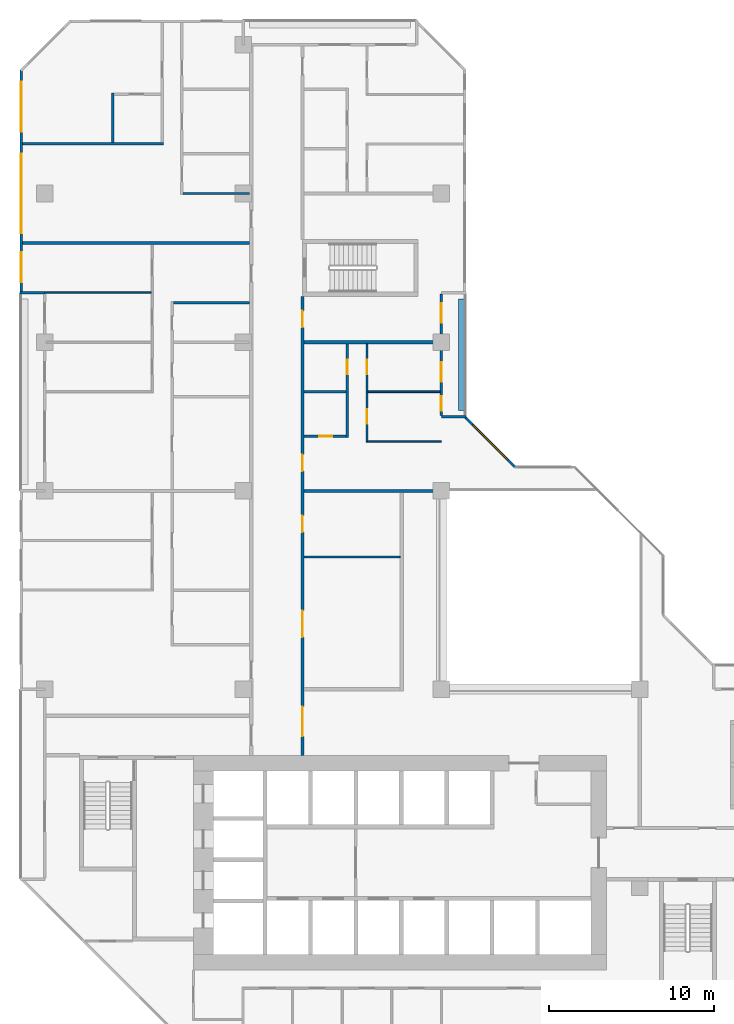
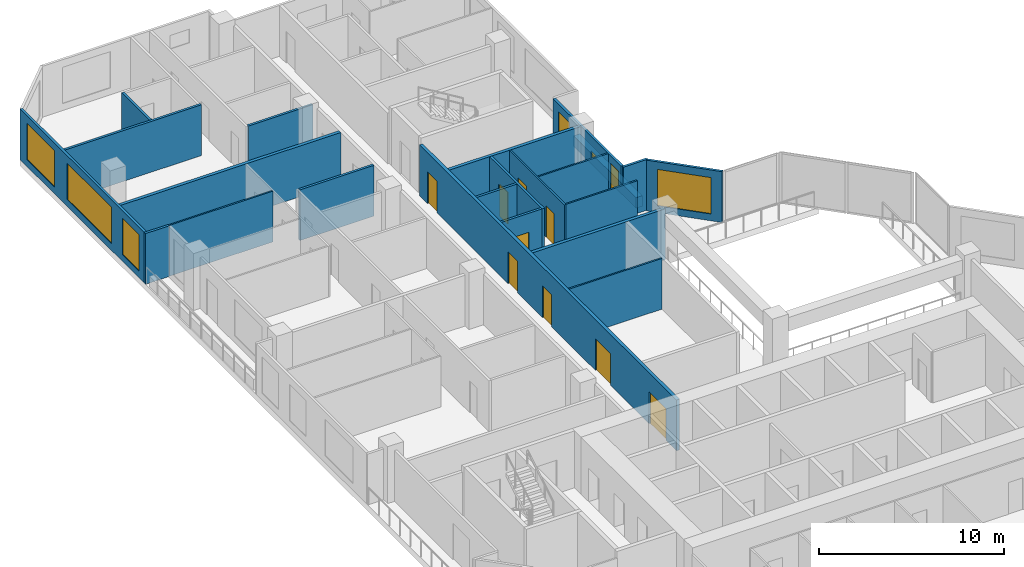
# One storey, part 10 of 15: 22 walls, 10 doors, 6 windows, 16 openings.
"""IFC4 building model written with IfcOpenShell, lengths in metres."""

from ifc_helpers import new_model, si_unit, direction, frame, frame_2d, origin, place, context, subcontext, project, spatial, rectangle, extrude, material, layer, layer_set, type_object, element, fill, save


model = new_model("IFC4")

# Units and contexts
model_context = context("Model", 3, precision=1e-05, world=origin(), true_north=direction((0.0, 1.0)))
body_context = subcontext(model_context, "Body", "Model", "MODEL_VIEW")
ifc_project = project(units=[si_unit("LENGTHUNIT", "METRE"), si_unit("AREAUNIT", "SQUARE_METRE"), si_unit("VOLUMEUNIT", "CUBIC_METRE"), si_unit("PLANEANGLEUNIT", "RADIAN"), si_unit("MASSUNIT", "GRAM", prefix="KILO")], contexts=[model_context])

# Site, building, storey
site_placement = place(None, origin())
site = spatial("IfcSite", under=ifc_project, at=site_placement, CompositionType="ELEMENT")
building_placement = place(site_placement, origin())
building = spatial("IfcBuilding", under=site, at=building_placement, Name="Chenar Terraces", CompositionType="ELEMENT")
storey_placement = place(building_placement, frame((0.0, 0.0, 118.14990234375)))
storey = spatial("IfcBuildingStorey", under=building, at=storey_placement, Name="L27", CompositionType="ELEMENT", Elevation=118.14990234375)

# Wall, openings, doors
ifc_material_1 = material(Name="Gypsum board on steel studs with fire boards", Category="steel")
ifc_layer_1 = layer(ifc_material_1, 0.199951171875)
ifc_layer_set_1 = layer_set([ifc_layer_1], Name="Gypsum board on steel studs with fire boards")
wall_type_1 = type_object("IfcWallType", Name="Corridor wall 200", PredefinedType="PARTITIONING", material=ifc_layer_set_1)
wall_1_placement = place(storey_placement, frame((15.60009765625, 20.0, 0.0), z_axis=(0.0, 0.0, 1.0), x_axis=(0.0, 1.0, 0.0)))
wall_1 = element("IfcWall", 1, at=wall_1_placement, inside=storey, type_object=wall_type_1, Name="Partition L27-034", PredefinedType="PARTITIONING", context=body_context, shape_type="SweptSolid", body=[
    extrude(rectangle(XDim=27.77490234375, YDim=0.199951171875, at=frame_2d((13.887451171875, 0.0))), origin(), (0.0, 0.0, 1.0), 3.35009765625),
])
opening_1_placement = place(wall_1_placement, frame((7.14990234375, 0.0, 0.0)))
opening_1 = element("IfcOpeningElement", 2, at=opening_1_placement, cuts=wall_1, Name="Opening DL27-1", PredefinedType="OPENING", context=body_context, shape_type="SweptSolid", body=[
    extrude(rectangle(XDim=1.60009765625, YDim=2.10009765625, at=frame_2d((0.800048828125, 1.050048828125))), frame((0.0, 0.10986328125, 0.0), z_axis=(0.0, -1.0, 0.0), x_axis=(1.0, 0.0, 0.0)), (0.0, 0.0, 1.0), 0.219970703125),
])
opening_2_placement = place(wall_1_placement, frame((13.5, 0.0, 0.0)))
opening_2 = element("IfcOpeningElement", 3, at=opening_2_placement, cuts=wall_1, Name="Opening DL27-2", PredefinedType="OPENING", context=body_context, shape_type="SweptSolid", body=[
    extrude(rectangle(XDim=1.0, YDim=2.10009765625, at=frame_2d((0.5, 1.050048828125))), frame((0.0, 0.10986328125, 0.0), z_axis=(0.0, -1.0, 0.0), x_axis=(1.0, 0.0, 0.0)), (0.0, 0.0, 1.0), 0.219970703125),
])
opening_3_placement = place(wall_1_placement, frame((17.199951171875, 0.0, 0.0)))
opening_3 = element("IfcOpeningElement", 4, at=opening_3_placement, cuts=wall_1, Name="Opening DL27-33", PredefinedType="OPENING", context=body_context, shape_type="SweptSolid", body=[
    extrude(rectangle(XDim=1.0, YDim=2.10009765625, at=frame_2d((0.5, 1.050048828125))), frame((0.0, 0.10986328125, 0.0), z_axis=(0.0, -1.0, 0.0), x_axis=(1.0, 0.0, 0.0)), (0.0, 0.0, 1.0), 0.219970703125),
])
opening_4_placement = place(wall_1_placement, frame((1.14990234375, 0.0, 0.0)))
opening_4 = element("IfcOpeningElement", 5, at=opening_4_placement, cuts=wall_1, Name="Opening DL27-53", PredefinedType="OPENING", context=body_context, shape_type="SweptSolid", body=[
    extrude(rectangle(XDim=1.800048828125, YDim=2.10009765625, at=frame_2d((0.89990234375, 1.050048828125))), frame((0.0, 0.10986328125, 0.0), z_axis=(0.0, -1.0, 0.0), x_axis=(1.0, 0.0, 0.0)), (0.0, 0.0, 1.0), 0.219970703125),
])
opening_5_placement = place(wall_1_placement, frame((25.89990234375, 0.0, 0.0)))
opening_5 = element("IfcOpeningElement", 6, at=opening_5_placement, cuts=wall_1, Name="Opening DL27-56", PredefinedType="OPENING", context=body_context, shape_type="SweptSolid", body=[
    extrude(rectangle(XDim=1.0, YDim=2.10009765625, at=frame_2d((0.5, 1.050048828125))), frame((0.0, 0.10986328125, 0.0), z_axis=(0.0, -1.0, 0.0), x_axis=(1.0, 0.0, 0.0)), (0.0, 0.0, 1.0), 0.219970703125),
])
ifc_material_2 = material(Name="Steel-framed fire-resisting door leaf", Category="steel")
door_type_1 = type_object("IfcDoorType", Name="Fire door FD60 1000 x 2100", OperationType="SINGLE_SWING_LEFT", PredefinedType="DOOR", material=ifc_material_2)
door_1_placement = place(opening_2_placement, frame((1.0, 0.0, 0.0), z_axis=(0.0, 0.0, 1.0), x_axis=(-1.0, 0.0, 0.0)))
door_1 = element("IfcDoor", 7, at=door_1_placement, inside=storey, type_object=door_type_1, Name="Door DL27-2", OperationType="SINGLE_SWING_LEFT", OverallHeight=2.10009765625, OverallWidth=1.0, PredefinedType="DOOR", context=body_context, shape_type="SweptSolid", body=[
    extrude(rectangle(XDim=1.0, YDim=2.10009765625, at=frame_2d((0.5, 1.050048828125))), frame((0.0, 0.02490234375, 0.0), z_axis=(0.0, -1.0, 0.0), x_axis=(1.0, 0.0, 0.0)), (0.0, 0.0, 1.0), 0.050048828125),
])
fill(opening_2, door_1)
door_2_placement = place(opening_3_placement, frame((1.0, 0.0, 0.0), z_axis=(0.0, 0.0, 1.0), x_axis=(-1.0, 0.0, 0.0)))
door_2 = element("IfcDoor", 8, at=door_2_placement, inside=storey, type_object=door_type_1, Name="Door DL27-33", OperationType="SINGLE_SWING_LEFT", OverallHeight=2.10009765625, OverallWidth=1.0, PredefinedType="DOOR", context=body_context, shape_type="SweptSolid", body=[
    extrude(rectangle(XDim=1.0, YDim=2.10009765625, at=frame_2d((0.5, 1.050048828125))), frame((0.0, 0.02490234375, 0.0), z_axis=(0.0, -1.0, 0.0), x_axis=(1.0, 0.0, 0.0)), (0.0, 0.0, 1.0), 0.050048828125),
])
fill(opening_3, door_2)
door_3_placement = place(opening_5_placement, frame((1.0, 0.0, 0.0), z_axis=(0.0, 0.0, 1.0), x_axis=(-1.0, 0.0, 0.0)))
door_3 = element("IfcDoor", 9, at=door_3_placement, inside=storey, type_object=door_type_1, Name="Door DL27-56", OperationType="SINGLE_SWING_RIGHT", OverallHeight=2.10009765625, OverallWidth=1.0, PredefinedType="DOOR", context=body_context, shape_type="SweptSolid", body=[
    extrude(rectangle(XDim=1.0, YDim=2.10009765625, at=frame_2d((0.5, 1.050048828125))), frame((0.0, 0.02490234375, 0.0), z_axis=(0.0, -1.0, 0.0), x_axis=(1.0, 0.0, 0.0)), (0.0, 0.0, 1.0), 0.050048828125),
])
fill(opening_5, door_3)
ifc_material_3 = material(Name="Steel-framed fire-resisting door leaf", Category="steel")
door_type_2 = type_object("IfcDoorType", Name="Fire double door FD60 1600 x 2100", OperationType="DOUBLE_DOOR_SINGLE_SWING", PredefinedType="DOOR", material=ifc_material_3)
door_4_placement = place(opening_1_placement, frame((1.60009765625, 0.0, 0.0), z_axis=(0.0, 0.0, 1.0), x_axis=(-1.0, 0.0, 0.0)))
door_4 = element("IfcDoor", 10, at=door_4_placement, inside=storey, type_object=door_type_2, Name="Door DL27-1", OperationType="DOUBLE_DOOR_SINGLE_SWING", OverallHeight=2.10009765625, OverallWidth=1.60009765625, PredefinedType="DOOR", context=body_context, shape_type="SweptSolid", body=[
    extrude(rectangle(XDim=1.60009765625, YDim=2.10009765625, at=frame_2d((0.800048828125, 1.050048828125))), frame((0.0, 0.02490234375, 0.0), z_axis=(0.0, -1.0, 0.0), x_axis=(1.0, 0.0, 0.0)), (0.0, 0.0, 1.0), 0.050048828125),
])
fill(opening_1, door_4)
ifc_material_4 = material(Name="Steel-framed fire-resisting door leaf", Category="steel")
door_type_3 = type_object("IfcDoorType", Name="Fire double door FD60 1800 x 2100", OperationType="DOUBLE_DOOR_SINGLE_SWING", PredefinedType="DOOR", material=ifc_material_4)
door_5_placement = place(opening_4_placement, frame((1.800048828125, 0.0, 0.0), z_axis=(0.0, 0.0, 1.0), x_axis=(-1.0, 0.0, 0.0)))
door_5 = element("IfcDoor", 11, at=door_5_placement, inside=storey, type_object=door_type_3, Name="Door DL27-53", OperationType="DOUBLE_DOOR_SINGLE_SWING", OverallHeight=2.10009765625, OverallWidth=1.800048828125, PredefinedType="DOOR", context=body_context, shape_type="SweptSolid", body=[
    extrude(rectangle(XDim=1.800048828125, YDim=2.10009765625, at=frame_2d((0.89990234375, 1.050048828125))), frame((0.0, 0.02490234375, 0.0), z_axis=(0.0, -1.0, 0.0), x_axis=(1.0, 0.0, 0.0)), (0.0, 0.0, 1.0), 0.050048828125),
])
fill(opening_4, door_5)

# Wall, openings, windows
ifc_material_5 = material(Name="Aluminium framed glazing", Category="aluminium")
ifc_layer_2 = layer(ifc_material_5, 0.14990234375)
ifc_layer_set_2 = layer_set([ifc_layer_2], Name="Aluminium framed glazing")
wall_type_2 = type_object("IfcWallType", Name="Glazed flush facade wall 150", PredefinedType="SOLIDWALL", material=ifc_layer_set_2)
wall_2_placement = place(storey_placement, frame((-1.425048828125, 61.5, 0.0), z_axis=(0.0, 0.0, 1.0), x_axis=(0.0, -1.0, 0.0)))
wall_2 = element("IfcWall", 12, at=wall_2_placement, inside=storey, type_object=wall_type_2, Name="Glazed flush facade wall", PredefinedType="SOLIDWALL", context=body_context, shape_type="SweptSolid", body=[
    extrude(rectangle(XDim=13.425048828125, YDim=0.14990234375, at=frame_2d((6.71240234375, 0.0))), origin(), (0.0, 0.0, 1.0), 3.35009765625),
])
opening_6_placement = place(wall_2_placement, frame((0.75, 0.0, 0.449951171875)))
opening_6 = element("IfcOpeningElement", 13, at=opening_6_placement, cuts=wall_2, Name="Opening W300x240", PredefinedType="OPENING", context=body_context, shape_type="SweptSolid", body=[
    extrude(rectangle(XDim=3.0, YDim=2.39990234375, at=frame_2d((1.5, 1.199951171875))), frame((0.0, 0.0849609375, 0.0), z_axis=(0.0, -1.0, 0.0), x_axis=(1.0, 0.0, 0.0)), (0.0, 0.0, 1.0), 0.169921875),
])
opening_7_placement = place(wall_2_placement, frame((5.10009765625, 0.0, 0.449951171875)))
opening_7 = element("IfcOpeningElement", 14, at=opening_7_placement, cuts=wall_2, Name="Opening W480x240", PredefinedType="OPENING", context=body_context, shape_type="SweptSolid", body=[
    extrude(rectangle(XDim=4.800048828125, YDim=2.39990234375, at=frame_2d((2.39990234375, 1.199951171875))), frame((0.0, 0.0849609375, 0.0), z_axis=(0.0, -1.0, 0.0), x_axis=(1.0, 0.0, 0.0)), (0.0, 0.0, 1.0), 0.169921875),
])
opening_8_placement = place(wall_2_placement, frame((11.0625, 0.0, 0.449951171875)))
opening_8 = element("IfcOpeningElement", 15, at=opening_8_placement, cuts=wall_2, Name="Opening W180x240", PredefinedType="OPENING", context=body_context, shape_type="SweptSolid", body=[
    extrude(rectangle(XDim=1.800048828125, YDim=2.39990234375, at=frame_2d((0.89990234375, 1.199951171875))), frame((0.0, 0.0849609375, 0.0), z_axis=(0.0, -1.0, 0.0), x_axis=(1.0, 0.0, 0.0)), (0.0, 0.0, 1.0), 0.169921875),
])
ifc_material_6 = material(Name="Low emissivity double glazing, aluminium frame", Category="aluminium")
window_type_1 = type_object("IfcWindowType", Name="Fixed light 1800 x 2400", PartitioningType="SINGLE_PANEL", PredefinedType="WINDOW", material=ifc_material_6)
window_1_placement = place(opening_8_placement, origin())
window_1 = element("IfcWindow", 16, at=window_1_placement, inside=storey, type_object=window_type_1, Name="Window", OverallHeight=2.39990234375, OverallWidth=1.800048828125, PartitioningType="SINGLE_PANEL", PredefinedType="WINDOW", context=body_context, shape_type="SweptSolid", body=[
    extrude(rectangle(XDim=1.800048828125, YDim=2.39990234375, at=frame_2d((0.89990234375, 1.199951171875))), frame((0.0, 0.030029296875, 0.0), z_axis=(0.0, -1.0, 0.0), x_axis=(1.0, 0.0, 0.0)), (0.0, 0.0, 1.0), 0.06005859375),
])
fill(opening_8, window_1)
ifc_material_7 = material(Name="Low emissivity double glazing, aluminium frame", Category="aluminium")
window_type_2 = type_object("IfcWindowType", Name="Fixed light 3000 x 2400", PartitioningType="SINGLE_PANEL", PredefinedType="WINDOW", material=ifc_material_7)
window_2_placement = place(opening_6_placement, origin())
window_2 = element("IfcWindow", 17, at=window_2_placement, inside=storey, type_object=window_type_2, Name="Window", OverallHeight=2.39990234375, OverallWidth=3.0, PartitioningType="SINGLE_PANEL", PredefinedType="WINDOW", context=body_context, shape_type="SweptSolid", body=[
    extrude(rectangle(XDim=3.0, YDim=2.39990234375, at=frame_2d((1.5, 1.199951171875))), frame((0.0, 0.030029296875, 0.0), z_axis=(0.0, -1.0, 0.0), x_axis=(1.0, 0.0, 0.0)), (0.0, 0.0, 1.0), 0.06005859375),
])
fill(opening_6, window_2)
ifc_material_8 = material(Name="Low emissivity double glazing, aluminium frame", Category="aluminium")
window_type_3 = type_object("IfcWindowType", Name="Fixed light 4800 x 2400", PartitioningType="SINGLE_PANEL", PredefinedType="WINDOW", material=ifc_material_8)
window_3_placement = place(opening_7_placement, origin())
window_3 = element("IfcWindow", 18, at=window_3_placement, inside=storey, type_object=window_type_3, Name="Window", OverallHeight=2.39990234375, OverallWidth=4.800048828125, PartitioningType="SINGLE_PANEL", PredefinedType="WINDOW", context=body_context, shape_type="SweptSolid", body=[
    extrude(rectangle(XDim=4.800048828125, YDim=2.39990234375, at=frame_2d((2.39990234375, 1.199951171875))), frame((0.0, 0.030029296875, 0.0), z_axis=(0.0, -1.0, 0.0), x_axis=(1.0, 0.0, 0.0)), (0.0, 0.0, 1.0), 0.06005859375),
])
fill(opening_7, window_3)

# Wall, openings, windows, door
ifc_material_9 = material(Name="Aluminium framed glazing", Category="aluminium")
ifc_layer_3 = layer(ifc_material_9, 0.14990234375)
ifc_layer_set_3 = layer_set([ifc_layer_3], Name="Aluminium framed glazing")
wall_type_3 = type_object("IfcWallType", Name="Glazed loggia back wall 150", PredefinedType="SOLIDWALL", material=ifc_layer_set_3)
wall_3_placement = place(storey_placement, frame((24.0, 40.574951171875, 0.0), z_axis=(0.0, 0.0, 1.0), x_axis=(0.0, 1.0, 0.0)))
wall_3 = element("IfcWall", 19, at=wall_3_placement, inside=storey, type_object=wall_type_3, Name="Glazed loggia back wall", PredefinedType="SOLIDWALL", context=body_context, shape_type="SweptSolid", body=[
    extrude(rectangle(XDim=7.35009765625, YDim=0.14990234375, at=frame_2d((3.675048828125, 0.0))), origin(), (0.0, 0.0, 1.0), 3.35009765625),
])
opening_9_placement = place(wall_3_placement, frame((0.262451171875, 0.0, 0.449951171875)))
opening_9 = element("IfcOpeningElement", 20, at=opening_9_placement, cuts=wall_3, Name="Opening W90x240", PredefinedType="OPENING", context=body_context, shape_type="SweptSolid", body=[
    extrude(rectangle(XDim=0.89990234375, YDim=2.39990234375, at=frame_2d((0.449951171875, 1.199951171875))), frame((0.0, 0.0849609375, 0.0), z_axis=(0.0, -1.0, 0.0), x_axis=(1.0, 0.0, 0.0)), (0.0, 0.0, 1.0), 0.169921875),
])
opening_10_placement = place(wall_3_placement, frame((2.02490234375, 0.0, 0.0)))
opening_10 = element("IfcOpeningElement", 21, at=opening_10_placement, cuts=wall_3, Name="Opening DL27-G2", PredefinedType="OPENING", context=body_context, shape_type="SweptSolid", body=[
    extrude(rectangle(XDim=1.199951171875, YDim=2.39990234375, at=frame_2d((0.60009765625, 1.199951171875))), frame((0.0, 0.0849609375, 0.0), z_axis=(0.0, -1.0, 0.0), x_axis=(1.0, 0.0, 0.0)), (0.0, 0.0, 1.0), 0.169921875),
])
opening_11_placement = place(wall_3_placement, frame((5.58740234375, 0.0, 0.449951171875)))
opening_11 = element("IfcOpeningElement", 22, at=opening_11_placement, cuts=wall_3, Name="Opening W120x240", PredefinedType="OPENING", context=body_context, shape_type="SweptSolid", body=[
    extrude(rectangle(XDim=1.199951171875, YDim=2.39990234375, at=frame_2d((0.60009765625, 1.199951171875))), frame((0.0, 0.0849609375, 0.0), z_axis=(0.0, -1.0, 0.0), x_axis=(1.0, 0.0, 0.0)), (0.0, 0.0, 1.0), 0.169921875),
])
ifc_material_10 = material(Name="Low emissivity double glazing, aluminium frame", Category="aluminium")
window_type_4 = type_object("IfcWindowType", Name="Fixed light 1200 x 2400", PartitioningType="SINGLE_PANEL", PredefinedType="WINDOW", material=ifc_material_10)
window_4_placement = place(opening_11_placement, origin())
window_4 = element("IfcWindow", 23, at=window_4_placement, inside=storey, type_object=window_type_4, Name="Window", OverallHeight=2.39990234375, OverallWidth=1.199951171875, PartitioningType="SINGLE_PANEL", PredefinedType="WINDOW", context=body_context, shape_type="SweptSolid", body=[
    extrude(rectangle(XDim=1.199951171875, YDim=2.39990234375, at=frame_2d((0.60009765625, 1.199951171875))), frame((0.0, 0.030029296875, 0.0), z_axis=(0.0, -1.0, 0.0), x_axis=(1.0, 0.0, 0.0)), (0.0, 0.0, 1.0), 0.06005859375),
])
fill(opening_11, window_4)
ifc_material_11 = material(Name="Low emissivity double glazing, aluminium frame", Category="aluminium")
window_type_5 = type_object("IfcWindowType", Name="Fixed light 900 x 2400", PartitioningType="SINGLE_PANEL", PredefinedType="WINDOW", material=ifc_material_11)
window_5_placement = place(opening_9_placement, origin())
window_5 = element("IfcWindow", 24, at=window_5_placement, inside=storey, type_object=window_type_5, Name="Window", OverallHeight=2.39990234375, OverallWidth=0.89990234375, PartitioningType="SINGLE_PANEL", PredefinedType="WINDOW", context=body_context, shape_type="SweptSolid", body=[
    extrude(rectangle(XDim=0.89990234375, YDim=2.39990234375, at=frame_2d((0.449951171875, 1.199951171875))), frame((0.0, 0.030029296875, 0.0), z_axis=(0.0, -1.0, 0.0), x_axis=(1.0, 0.0, 0.0)), (0.0, 0.0, 1.0), 0.06005859375),
])
fill(opening_9, window_5)
ifc_material_12 = material(Name="Low emissivity double glazing, aluminium frame", Category="aluminium")
door_type_4 = type_object("IfcDoorType", Name="Loggia glazed double door 1200 x 2400", OperationType="DOUBLE_DOOR_SINGLE_SWING", PredefinedType="DOOR", material=ifc_material_12)
door_6_placement = place(opening_10_placement, frame((1.199951171875, 0.0, 0.0), z_axis=(0.0, 0.0, 1.0), x_axis=(-1.0, 0.0, 0.0)))
door_6 = element("IfcDoor", 25, at=door_6_placement, inside=storey, type_object=door_type_4, Name="Loggia glazed door", OperationType="DOUBLE_DOOR_SINGLE_SWING", OverallHeight=2.39990234375, OverallWidth=1.199951171875, PredefinedType="DOOR", context=body_context, shape_type="SweptSolid", body=[
    extrude(rectangle(XDim=1.199951171875, YDim=2.39990234375, at=frame_2d((0.60009765625, 1.199951171875))), frame((0.0, 0.02490234375, 0.0), z_axis=(0.0, -1.0, 0.0), x_axis=(1.0, 0.0, 0.0)), (0.0, 0.0, 1.0), 0.050048828125),
])
fill(opening_10, door_6)

# Walls
ifc_material_13 = material(Name="Gypsum board on steel studs", Category="steel")
ifc_layer_4 = layer(ifc_material_13, 0.10009765625)
ifc_layer_set_4 = layer_set([ifc_layer_4], Name="Gypsum board on steel studs")
wall_type_4 = type_object("IfcWallType", Name="Gypsum partition 100", PredefinedType="PARTITIONING", material=ifc_layer_set_4)
wall_4_placement = place(storey_placement, frame((0.0, 48.0, 0.0), z_axis=(0.0, 0.0, 1.0), x_axis=(1.0, 0.0, 0.0)))
element("IfcWall", 26, at=wall_4_placement, inside=storey, type_object=wall_type_4, Name="Partition L27-004", PredefinedType="PARTITIONING", context=body_context, shape_type="SweptSolid", body=[
    extrude(rectangle(XDim=6.449951171875, YDim=0.10009765625, at=frame_2d((3.22509765625, 0.0))), origin(), (0.0, 0.0, 1.0), 3.35009765625),
])
wall_5_placement = place(storey_placement, frame((15.699951171875, 32.0, 0.0), z_axis=(0.0, 0.0, 1.0), x_axis=(1.0, 0.0, 0.0)))
element("IfcWall", 27, at=wall_5_placement, inside=storey, type_object=wall_type_4, Name="Partition L27-037", PredefinedType="PARTITIONING", context=body_context, shape_type="SweptSolid", body=[
    extrude(rectangle(XDim=5.800048828125, YDim=0.10009765625, at=frame_2d((2.89990234375, 0.0))), origin(), (0.0, 0.0, 1.0), 3.35009765625),
])

# Wall, openings, doors
wall_6_placement = place(storey_placement, frame((19.5, 38.949951171875, 0.0), z_axis=(0.0, 0.0, 1.0), x_axis=(0.0, 1.0, 0.0)))
wall_6 = element("IfcWall", 28, at=wall_6_placement, inside=storey, type_object=wall_type_4, Name="Partition L27-050", PredefinedType="PARTITIONING", context=body_context, shape_type="SweptSolid", body=[
    extrude(rectangle(XDim=5.949951171875, YDim=0.10009765625, at=frame_2d((2.97509765625, 0.0))), origin(), (0.0, 0.0, 1.0), 3.35009765625),
])
opening_12_placement = place(wall_6_placement, frame((1.10009765625, 0.0, 0.0)))
opening_12 = element("IfcOpeningElement", 29, at=opening_12_placement, cuts=wall_6, Name="Opening DL27-30", PredefinedType="OPENING", context=body_context, shape_type="SweptSolid", body=[
    extrude(rectangle(XDim=0.89990234375, YDim=2.10009765625, at=frame_2d((0.449951171875, 1.050048828125))), frame((0.0, 0.06005859375, 0.0), z_axis=(0.0, -1.0, 0.0), x_axis=(1.0, 0.0, 0.0)), (0.0, 0.0, 1.0), 0.1201171875),
])
opening_13_placement = place(wall_6_placement, frame((4.10009765625, 0.0, 0.0)))
opening_13 = element("IfcOpeningElement", 30, at=opening_13_placement, cuts=wall_6, Name="Opening DL27-31", PredefinedType="OPENING", context=body_context, shape_type="SweptSolid", body=[
    extrude(rectangle(XDim=0.89990234375, YDim=2.10009765625, at=frame_2d((0.449951171875, 1.050048828125))), frame((0.0, 0.06005859375, 0.0), z_axis=(0.0, -1.0, 0.0), x_axis=(1.0, 0.0, 0.0)), (0.0, 0.0, 1.0), 0.1201171875),
])
ifc_material_14 = material(Name="Veneered timber door leaf", Category="wood")
door_type_5 = type_object("IfcDoorType", Name="Door 900 x 2100", OperationType="SINGLE_SWING_LEFT", PredefinedType="DOOR", material=ifc_material_14)
door_7_placement = place(opening_12_placement, frame((0.89990234375, 0.0, 0.0), z_axis=(0.0, 0.0, 1.0), x_axis=(-1.0, 0.0, 0.0)))
door_7 = element("IfcDoor", 31, at=door_7_placement, inside=storey, type_object=door_type_5, Name="Door DL27-30", OperationType="SINGLE_SWING_RIGHT", OverallHeight=2.10009765625, OverallWidth=0.89990234375, PredefinedType="DOOR", context=body_context, shape_type="SweptSolid", body=[
    extrude(rectangle(XDim=0.89990234375, YDim=2.10009765625, at=frame_2d((0.449951171875, 1.050048828125))), frame((0.0, 0.02490234375, 0.0), z_axis=(0.0, -1.0, 0.0), x_axis=(1.0, 0.0, 0.0)), (0.0, 0.0, 1.0), 0.050048828125),
])
fill(opening_12, door_7)
door_8_placement = place(opening_13_placement, frame((0.89990234375, 0.0, 0.0), z_axis=(0.0, 0.0, 1.0), x_axis=(-1.0, 0.0, 0.0)))
door_8 = element("IfcDoor", 32, at=door_8_placement, inside=storey, type_object=door_type_5, Name="Door DL27-31", OperationType="SINGLE_SWING_LEFT", OverallHeight=2.10009765625, OverallWidth=0.89990234375, PredefinedType="DOOR", context=body_context, shape_type="SweptSolid", body=[
    extrude(rectangle(XDim=0.89990234375, YDim=2.10009765625, at=frame_2d((0.449951171875, 1.050048828125))), frame((0.0, 0.02490234375, 0.0), z_axis=(0.0, -1.0, 0.0), x_axis=(1.0, 0.0, 0.0)), (0.0, 0.0, 1.0), 0.050048828125),
])
fill(opening_13, door_8)

# Walls
wall_7_placement = place(storey_placement, frame((19.550048828125, 39.0, 0.0), z_axis=(0.0, 0.0, 1.0), x_axis=(1.0, 0.0, 0.0)))
element("IfcWall", 33, at=wall_7_placement, inside=storey, type_object=wall_type_4, Name="Partition L27-053", PredefinedType="PARTITIONING", context=body_context, shape_type="SweptSolid", body=[
    extrude(rectangle(XDim=4.449951171875, YDim=0.10009765625, at=frame_2d((2.22509765625, 0.0))), origin(), (0.0, 0.0, 1.0), 3.35009765625),
])
wall_8_placement = place(storey_placement, frame((19.550048828125, 42.0, 0.0), z_axis=(0.0, 0.0, 1.0), x_axis=(1.0, 0.0, 0.0)))
element("IfcWall", 34, at=wall_8_placement, inside=storey, type_object=wall_type_4, Name="Partition L27-054", PredefinedType="PARTITIONING", context=body_context, shape_type="SweptSolid", body=[
    extrude(rectangle(XDim=4.3759765625, YDim=0.10009765625, at=frame_2d((2.18798828125, 0.0))), origin(), (0.0, 0.0, 1.0), 3.35009765625),
])
ifc_material_15 = material(Name="Terracotta cladding on insulated backing", Category="masonry")
ifc_layer_5 = layer(ifc_material_15, 0.14990234375)
ifc_layer_set_5 = layer_set([ifc_layer_5], Name="Terracotta cladding on insulated backing")
wall_type_5 = type_object("IfcWallType", Name="Loggia return wall 150", PredefinedType="SOLIDWALL", material=ifc_layer_set_5)
for number, where, z_axis, x_axis, name in (
    (35, (25.5, 40.5, 0.0), (0.0, 0.0, 1.0), (-1.0, 0.0, 0.0), "Loggia return wall"),
    (36, (-1.5, 48.0, 0.0), (0.0, 0.0, 1.0), (1.0, 0.0, 0.0), "Loggia return wall"),
):
    element("IfcWall", number, at=place(storey_placement, frame(where, z_axis=z_axis, x_axis=x_axis)), inside=storey, type_object=wall_type_5, Name=name, PredefinedType="SOLIDWALL", context=body_context, shape_type="SweptSolid", body=[
        extrude(rectangle(XDim=1.5, YDim=0.14990234375, at=frame_2d((0.75, 0.0))), origin(), (0.0, 0.0, 1.0), 3.35009765625),
    ])

# Wall, opening, window
ifc_material_16 = material(Name="Terracotta cladding on insulated backing", Category="masonry")
ifc_layer_6 = layer(ifc_material_16, 0.14990234375)
ifc_layer_set_6 = layer_set([ifc_layer_6], Name="Terracotta cladding on insulated backing")
wall_type_6 = type_object("IfcWallType", Name="Terracotta rainscreen wall 150", PredefinedType="SOLIDWALL", material=ifc_layer_set_6)
wall_9_placement = place(storey_placement, frame((28.447021484375, 37.447021484375, 0.0), z_axis=(0.0, 0.0, 1.0), x_axis=(-0.707106781187, 0.707106781187, 0.0)))
wall_9 = element("IfcWall", 37, at=wall_9_placement, inside=storey, type_object=wall_type_6, Name="Terracotta rainscreen wall", PredefinedType="SOLIDWALL", context=body_context, shape_type="SweptSolid", body=[
    extrude(rectangle(XDim=4.24267578125, YDim=0.14990234375, at=frame_2d((2.121337890625, 0.0))), origin(), (0.0, 0.0, 1.0), 3.35009765625),
])
opening_14_placement = place(wall_9_placement, frame((0.621337890625, 0.0, 0.449951171875)))
opening_14 = element("IfcOpeningElement", 38, at=opening_14_placement, cuts=wall_9, Name="Opening W300x240", PredefinedType="OPENING", context=body_context, shape_type="SweptSolid", body=[
    extrude(rectangle(XDim=3.0, YDim=2.39990234375, at=frame_2d((1.5, 1.199951171875))), frame((0.0, 0.0849609375, 0.0), z_axis=(0.0, -1.0, 0.0), x_axis=(1.0, 0.0, 0.0)), (0.0, 0.0, 1.0), 0.169921875),
])
window_6_placement = place(opening_14_placement, origin())
window_6 = element("IfcWindow", 39, at=window_6_placement, inside=storey, type_object=window_type_2, Name="Window", OverallHeight=2.39990234375, OverallWidth=3.0, PartitioningType="SINGLE_PANEL", PredefinedType="WINDOW", context=body_context, shape_type="SweptSolid", body=[
    extrude(rectangle(XDim=3.0, YDim=2.39990234375, at=frame_2d((1.5, 1.199951171875))), frame((0.0, 0.030029296875, 0.0), z_axis=(0.0, -1.0, 0.0), x_axis=(1.0, 0.0, 0.0)), (0.0, 0.0, 1.0), 0.06005859375),
])
fill(opening_14, window_6)

# Walls
ifc_material_17 = material(Name="Twin gypsum board on steel studs with mineral wool", Category="steel")
ifc_layer_7 = layer(ifc_material_17, 0.199951171875)
ifc_layer_set_7 = layer_set([ifc_layer_7], Name="Twin gypsum board on steel studs with mineral wool")
wall_type_7 = type_object("IfcWallType", Name="Unit demising wall 200", PredefinedType="PARTITIONING", material=ifc_layer_set_7)
wall_10_placement = place(storey_placement, frame((-1.35009765625, 51.0, 0.0), z_axis=(0.0, 0.0, 1.0), x_axis=(1.0, 0.0, 0.0)))
element("IfcWall", 40, at=wall_10_placement, inside=storey, type_object=wall_type_7, Name="Partition L27-005", PredefinedType="PARTITIONING", context=body_context, shape_type="SweptSolid", body=[
    extrude(rectangle(XDim=13.75, YDim=0.199951171875, at=frame_2d((6.875, 0.0))), origin(), (0.0, 0.0, 1.0), 3.35009765625),
])
wall_11_placement = place(storey_placement, frame((15.699951171875, 36.0, 0.0), z_axis=(0.0, 0.0, 1.0), x_axis=(1.0, 0.0, 0.0)))
element("IfcWall", 41, at=wall_11_placement, inside=storey, type_object=wall_type_7, Name="Partition L27-038", PredefinedType="PARTITIONING", context=body_context, shape_type="SweptSolid", body=[
    extrude(rectangle(XDim=8.300048828125, YDim=0.199951171875, at=frame_2d((4.14990234375, 0.0))), origin(), (0.0, 0.0, 1.0), 3.35009765625),
])
wall_12_placement = place(storey_placement, frame((15.699951171875, 45.0, 0.0), z_axis=(0.0, 0.0, 1.0), x_axis=(1.0, 0.0, 0.0)))
element("IfcWall", 42, at=wall_12_placement, inside=storey, type_object=wall_type_7, Name="Partition L27-041", PredefinedType="PARTITIONING", context=body_context, shape_type="SweptSolid", body=[
    extrude(rectangle(XDim=8.22607421875, YDim=0.199951171875, at=frame_2d((4.113037109375, 0.0))), origin(), (0.0, 0.0, 1.0), 3.35009765625),
])
ifc_material_18 = material(Name="GRP planter trough")
ifc_layer_8 = layer(ifc_material_18, 0.39990234375)
ifc_layer_set_8 = layer_set([ifc_layer_8], Name="GRP planter trough")
wall_type_8 = type_object("IfcWallType", Name="Vertical greenery planter 400", PredefinedType="SOLIDWALL", material=ifc_layer_set_8)
wall_13_placement = place(storey_placement, frame((25.22900390625, 40.875, 0.0), z_axis=(0.0, 0.0, 1.0), x_axis=(0.0, 1.0, 0.0)))
element("IfcWall", 43, at=wall_13_placement, inside=storey, type_object=wall_type_8, Name="Vertical greenery planter", PredefinedType="SOLIDWALL", context=body_context, shape_type="SweptSolid", body=[
    extrude(rectangle(XDim=6.75, YDim=0.39990234375, at=frame_2d((3.375, 0.0))), origin(), (0.0, 0.0, 1.0), 0.7001953125),
])
ifc_material_19 = material(Name="Moisture-resistant gypsum board on steel studs", Category="steel")
ifc_layer_9 = layer(ifc_material_19, 0.14990234375)
ifc_layer_set_9 = layer_set([ifc_layer_9], Name="Moisture-resistant gypsum board on steel studs")
wall_type_9 = type_object("IfcWallType", Name="Wet-room partition 150", PredefinedType="PARTITIONING", material=ifc_layer_set_9)
wall_14_placement = place(storey_placement, frame((-1.35009765625, 57.0, 0.0), z_axis=(0.0, 0.0, 1.0), x_axis=(1.0, 0.0, 0.0)))
element("IfcWall", 44, at=wall_14_placement, inside=storey, type_object=wall_type_9, Name="Partition L27-006", PredefinedType="PARTITIONING", context=body_context, shape_type="SweptSolid", body=[
    extrude(rectangle(XDim=8.525146484375, YDim=0.14990234375, at=frame_2d((4.2626953125, 0.0))), origin(), (0.0, 0.0, 1.0), 3.35009765625),
])
wall_15_placement = place(storey_placement, frame((4.10009765625, 57.074951171875, 0.0), z_axis=(0.0, 0.0, 1.0), x_axis=(0.0, 1.0, 0.0)))
element("IfcWall", 45, at=wall_15_placement, inside=storey, type_object=wall_type_9, Name="Partition L27-012", PredefinedType="PARTITIONING", context=body_context, shape_type="SweptSolid", body=[
    extrude(rectangle(XDim=3.0, YDim=0.14990234375, at=frame_2d((1.5, 0.0))), origin(), (0.0, 0.0, 1.0), 3.35009765625),
])
wall_16_placement = place(storey_placement, frame((7.77490234375, 47.39990234375, 0.0), z_axis=(0.0, 0.0, 1.0), x_axis=(1.0, 0.0, 0.0)))
element("IfcWall", 46, at=wall_16_placement, inside=storey, type_object=wall_type_9, Name="Partition L27-023", PredefinedType="PARTITIONING", context=body_context, shape_type="SweptSolid", body=[
    extrude(rectangle(XDim=4.625, YDim=0.14990234375, at=frame_2d((2.3125, 0.0))), origin(), (0.0, 0.0, 1.0), 3.35009765625),
])
wall_17_placement = place(storey_placement, frame((8.375, 54.0, 0.0), z_axis=(0.0, 0.0, 1.0), x_axis=(1.0, 0.0, 0.0)))
element("IfcWall", 47, at=wall_17_placement, inside=storey, type_object=wall_type_9, Name="Partition L27-025", PredefinedType="PARTITIONING", context=body_context, shape_type="SweptSolid", body=[
    extrude(rectangle(XDim=4.02490234375, YDim=0.14990234375, at=frame_2d((2.012451171875, 0.0))), origin(), (0.0, 0.0, 1.0), 3.35009765625),
])

# Wall, opening, door
wall_18_placement = place(storey_placement, frame((15.699951171875, 39.300048828125, 0.0), z_axis=(0.0, 0.0, 1.0), x_axis=(1.0, 0.0, 0.0)))
wall_18 = element("IfcWall", 48, at=wall_18_placement, inside=storey, type_object=wall_type_9, Name="Partition L27-039", PredefinedType="PARTITIONING", context=body_context, shape_type="SweptSolid", body=[
    extrude(rectangle(XDim=2.525146484375, YDim=0.14990234375, at=frame_2d((1.2626953125, 0.0))), origin(), (0.0, 0.0, 1.0), 3.35009765625),
])
opening_15_placement = place(wall_18_placement, frame((0.89990234375, 0.0, 0.0)))
opening_15 = element("IfcOpeningElement", 49, at=opening_15_placement, cuts=wall_18, Name="Opening DL27-29", PredefinedType="OPENING", context=body_context, shape_type="SweptSolid", body=[
    extrude(rectangle(XDim=0.800048828125, YDim=2.10009765625, at=frame_2d((0.39990234375, 1.050048828125))), frame((0.0, 0.0849609375, 0.0), z_axis=(0.0, -1.0, 0.0), x_axis=(1.0, 0.0, 0.0)), (0.0, 0.0, 1.0), 0.169921875),
])
ifc_material_20 = material(Name="Veneered timber door leaf", Category="wood")
door_type_6 = type_object("IfcDoorType", Name="Door 800 x 2100", OperationType="SINGLE_SWING_LEFT", PredefinedType="DOOR", material=ifc_material_20)
door_9_placement = place(opening_15_placement, origin())
door_9 = element("IfcDoor", 50, at=door_9_placement, inside=storey, type_object=door_type_6, Name="Door DL27-29", OperationType="SINGLE_SWING_RIGHT", OverallHeight=2.10009765625, OverallWidth=0.800048828125, PredefinedType="DOOR", context=body_context, shape_type="SweptSolid", body=[
    extrude(rectangle(XDim=0.800048828125, YDim=2.10009765625, at=frame_2d((0.39990234375, 1.050048828125))), frame((0.0, 0.02490234375, 0.0), z_axis=(0.0, -1.0, 0.0), x_axis=(1.0, 0.0, 0.0)), (0.0, 0.0, 1.0), 0.050048828125),
])
fill(opening_15, door_9)

# Wall
wall_19_placement = place(storey_placement, frame((15.699951171875, 42.0, 0.0), z_axis=(0.0, 0.0, 1.0), x_axis=(1.0, 0.0, 0.0)))
element("IfcWall", 51, at=wall_19_placement, inside=storey, type_object=wall_type_9, Name="Partition L27-040", PredefinedType="PARTITIONING", context=body_context, shape_type="SweptSolid", body=[
    extrude(rectangle(XDim=2.525146484375, YDim=0.14990234375, at=frame_2d((1.2626953125, 0.0))), origin(), (0.0, 0.0, 1.0), 3.35009765625),
])

# Wall, opening, door
wall_20_placement = place(storey_placement, frame((18.300048828125, 39.22509765625, 0.0), z_axis=(0.0, 0.0, 1.0), x_axis=(0.0, 1.0, 0.0)))
wall_20 = element("IfcWall", 52, at=wall_20_placement, inside=storey, type_object=wall_type_9, Name="Partition L27-046", PredefinedType="PARTITIONING", context=body_context, shape_type="SweptSolid", body=[
    extrude(rectangle(XDim=5.6748046875, YDim=0.14990234375, at=frame_2d((2.83740234375, 0.0))), origin(), (0.0, 0.0, 1.0), 3.35009765625),
])
opening_16_placement = place(wall_20_placement, frame((3.824951171875, 0.0, 0.0)))
opening_16 = element("IfcOpeningElement", 53, at=opening_16_placement, cuts=wall_20, Name="Opening DL27-32", PredefinedType="OPENING", context=body_context, shape_type="SweptSolid", body=[
    extrude(rectangle(XDim=0.89990234375, YDim=2.10009765625, at=frame_2d((0.449951171875, 1.050048828125))), frame((0.0, 0.0849609375, 0.0), z_axis=(0.0, -1.0, 0.0), x_axis=(1.0, 0.0, 0.0)), (0.0, 0.0, 1.0), 0.169921875),
])
door_10_placement = place(opening_16_placement, origin())
door_10 = element("IfcDoor", 54, at=door_10_placement, inside=storey, type_object=door_type_5, Name="Door DL27-32", OperationType="SINGLE_SWING_RIGHT", OverallHeight=2.10009765625, OverallWidth=0.89990234375, PredefinedType="DOOR", context=body_context, shape_type="SweptSolid", body=[
    extrude(rectangle(XDim=0.89990234375, YDim=2.10009765625, at=frame_2d((0.449951171875, 1.050048828125))), frame((0.0, 0.02490234375, 0.0), z_axis=(0.0, -1.0, 0.0), x_axis=(1.0, 0.0, 0.0)), (0.0, 0.0, 1.0), 0.050048828125),
])
fill(opening_16, door_10)

save(model, "model.ifc")
